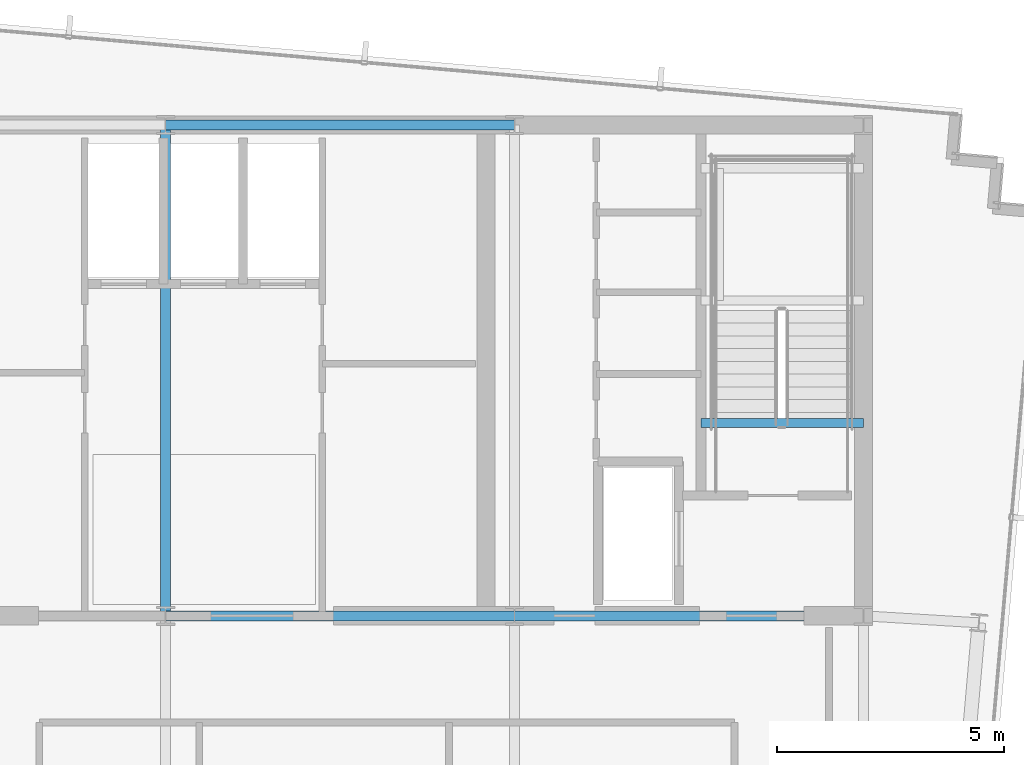
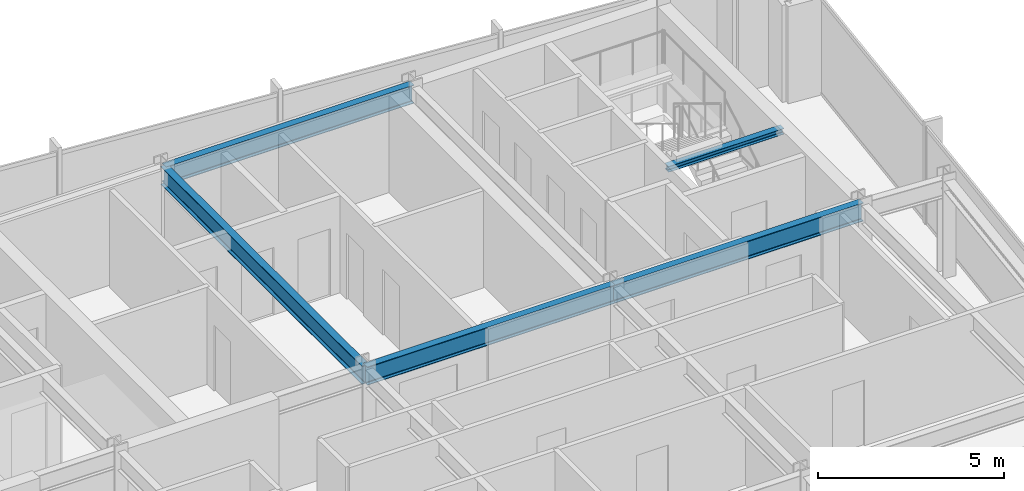
# One storey, part 18 of 32: 5 beams.
"""IFC4 building model written with IfcOpenShell, lengths in metres."""

from ifc_helpers import new_model, si_unit, direction, frame, origin, origin_2d, place, context, subcontext, project, spatial, i_section, extrude, material, material_profile, profile_set, type_object, element, save


model = new_model("IFC4")

# Units and contexts
model_context = context("Model", 3, precision=1e-05, world=origin(), true_north=direction((0.0, 1.0)))
body_context = subcontext(model_context, "Body", "Model", "MODEL_VIEW")
ifc_project = project(units=[si_unit("LENGTHUNIT", "METRE"), si_unit("AREAUNIT", "SQUARE_METRE"), si_unit("VOLUMEUNIT", "CUBIC_METRE"), si_unit("PLANEANGLEUNIT", "RADIAN"), si_unit("MASSUNIT", "GRAM", prefix="KILO")], contexts=[model_context])

# Site, building, storey
site_placement = place(None, origin())
site = spatial("IfcSite", under=ifc_project, at=site_placement, CompositionType="ELEMENT")
building_placement = place(site_placement, origin())
building = spatial("IfcBuilding", under=site, at=building_placement, Name="Yelkora Congress Tower", CompositionType="ELEMENT")
storey_placement = place(building_placement, frame((0.0, 0.0, 293.10009765625)))
storey = spatial("IfcBuildingStorey", under=building, at=storey_placement, Name="L82", CompositionType="ELEMENT", Elevation=293.10009765625)

# Beams
ifc_material = material(Name="Steel S355J2", Category="steel")
ifc_material_profile_1 = material_profile(ifc_material, i_section(OverallWidth=0.219970703125, OverallDepth=0.60009765625, WebThickness=0.011962890625, FlangeThickness=0.01904296875, FilletRadius=0.02392578125, at=origin_2d()), Name="IPE 600")
ifc_profile_set_1 = profile_set([ifc_material_profile_1], Name="Steel S355J2")
beam_type_1 = type_object("IfcBeamType", Name="BM-GIRD-IPE600", PredefinedType="BEAM", material=ifc_profile_set_1)
for number, where, z_axis, x_axis, name in (
    (1, (38.39990234375, 46.199951171875, 2.8798828125), (1.0, 0.0, 0.0), (0.0, 1.0, 0.0), "L82 Core North Girder 3"),
    (2, (38.39990234375, 35.39990234375, 2.8798828125), (1.0, 0.0, 0.0), (0.0, 1.0, 0.0), "L82 Core South Girder 3"),
):
    element("IfcBeam", number, at=place(storey_placement, frame(where, z_axis=z_axis, x_axis=x_axis)), inside=storey, type_object=beam_type_1, Name=name, PredefinedType="BEAM", context=body_context, shape_type="SweptSolid", body=[
        extrude(i_section(OverallWidth=0.219970703125, OverallDepth=0.60009765625, WebThickness=0.011962890625, FlangeThickness=0.01904296875, FilletRadius=0.02392578125, at=origin_2d()), origin(), (0.0, 0.0, 1.0), 7.68017578125),
    ])
beam_1_placement = place(storey_placement, frame((46.080078125, 35.39990234375, 2.8798828125), z_axis=(1.0, 0.0, 0.0), x_axis=(0.0, 1.0, 0.0)))
element("IfcBeam", 3, at=beam_1_placement, inside=storey, type_object=beam_type_1, Name="L82 Core South Girder 4", PredefinedType="BEAM", context=body_context, shape_type="SweptSolid", body=[
    extrude(i_section(OverallWidth=0.219970703125, OverallDepth=0.60009765625, WebThickness=0.011962890625, FlangeThickness=0.01904296875, FilletRadius=0.02392578125, at=origin_2d()), origin(), (0.0, 0.0, 1.0), 7.679931640625),
])
beam_2_placement = place(storey_placement, frame((38.39990234375, 35.39990234375, 2.8798828125), z_axis=(0.0, 1.0, 0.0), x_axis=(-1.0, 0.0, 0.0)))
element("IfcBeam", 4, at=beam_2_placement, inside=storey, type_object=beam_type_1, Name="L82 Core Tie Girder MC-S3", PredefinedType="BEAM", context=body_context, shape_type="SweptSolid", body=[
    extrude(i_section(OverallWidth=0.219970703125, OverallDepth=0.60009765625, WebThickness=0.011962890625, FlangeThickness=0.01904296875, FilletRadius=0.02392578125, at=origin_2d()), origin(), (0.0, 0.0, 1.0), 10.800048828125),
])
ifc_material_profile_2 = material_profile(ifc_material, i_section(OverallWidth=0.199951171875, OverallDepth=0.18994140625, WebThickness=0.006591796875, FlangeThickness=0.010009765625, FilletRadius=0.01806640625, at=origin_2d()), Name="HEA 200")
ifc_profile_set_2 = profile_set([ifc_material_profile_2], Name="Steel S355J2")
beam_type_2 = type_object("IfcBeamType", Name="BM-LAND-HEA200", PredefinedType="BEAM", material=ifc_profile_set_2)
beam_3_placement = place(storey_placement, frame((50.179931640625, 39.639892578125, 2.947265625), z_axis=(1.0, 0.0, 0.0), x_axis=(0.0, 1.0, 0.0)))
element("IfcBeam", 5, at=beam_3_placement, inside=storey, type_object=beam_type_2, Name="ST-02 L82 Floor Arrival Stringer Header Beam", PredefinedType="BEAM", context=body_context, shape_type="SweptSolid", body=[
    extrude(i_section(OverallWidth=0.199951171875, OverallDepth=0.18994140625, WebThickness=0.006591796875, FlangeThickness=0.010009765625, FilletRadius=0.01806640625, at=origin_2d()), origin(), (0.0, 0.0, 1.0), 3.580078125),
])

save(model, "model.ifc")
